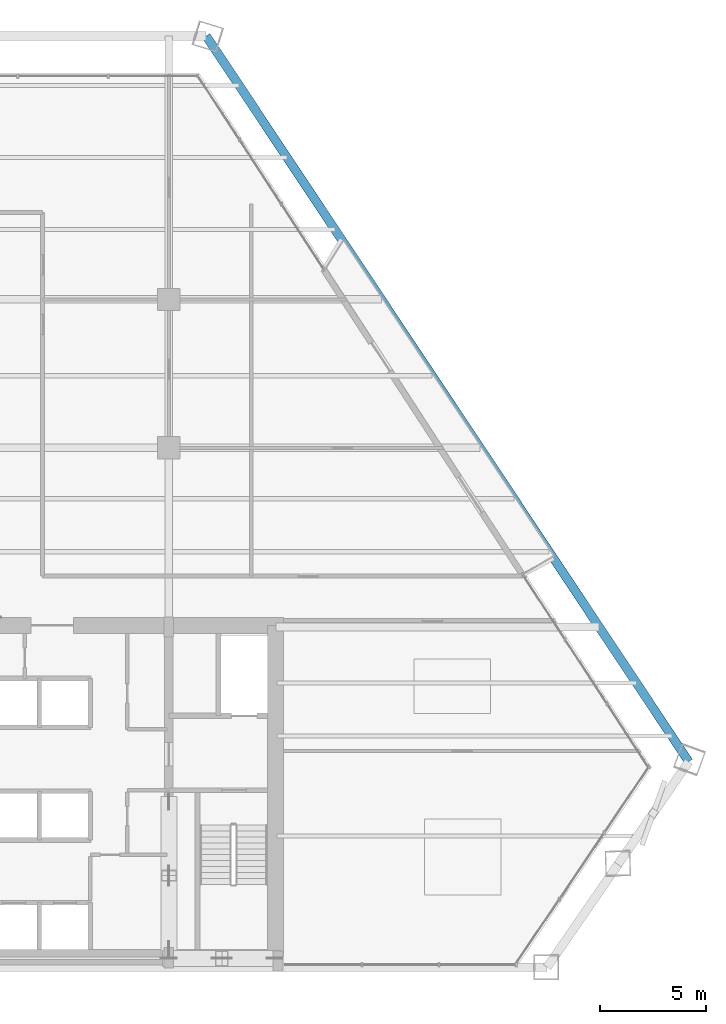
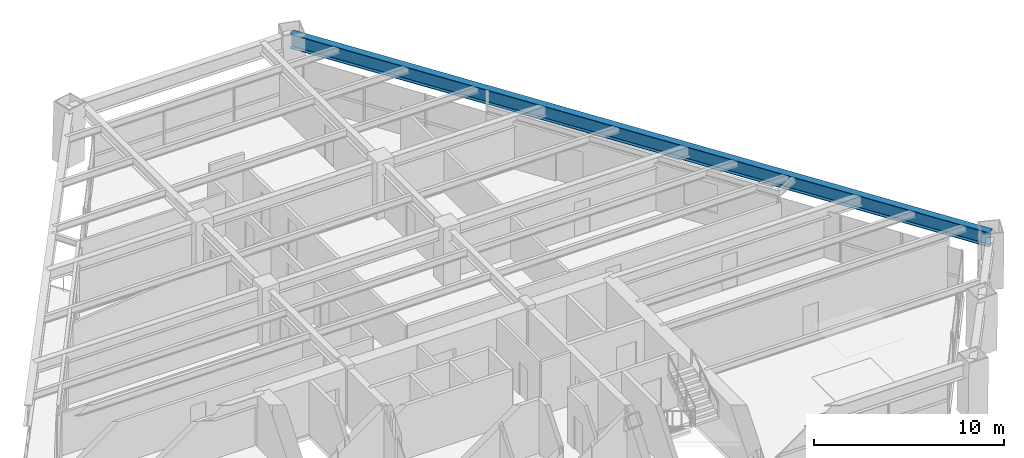
# One storey, part 7 of 14: 1 beam.
"""IFC4 building model written with IfcOpenShell, lengths in metres."""

from ifc_helpers import new_model, si_unit, direction, frame, origin, origin_2d, place, context, subcontext, project, spatial, i_section, extrude, source, transform, mapped, material, material_profile, profile_set, type_object, element, save


model = new_model("IFC4")

# Units and contexts
model_context = context("Model", 3, precision=1e-05, world=origin(), true_north=direction((0.0, 1.0)))
body_context = subcontext(model_context, "Body", "Model", "MODEL_VIEW")
ifc_project = project(units=[si_unit("LENGTHUNIT", "METRE"), si_unit("AREAUNIT", "SQUARE_METRE"), si_unit("VOLUMEUNIT", "CUBIC_METRE"), si_unit("PLANEANGLEUNIT", "RADIAN"), si_unit("MASSUNIT", "GRAM", prefix="KILO")], contexts=[model_context])

# Site, building, storey
site_placement = place(None, origin())
site = spatial("IfcSite", under=ifc_project, at=site_placement, CompositionType="ELEMENT")
building_placement = place(site_placement, origin())
building = spatial("IfcBuilding", under=site, at=building_placement, Name="Varnakhor Terracotta Tower", CompositionType="ELEMENT")
storey_placement = place(building_placement, frame((0.0, 0.0, 84.0)))
storey = spatial("IfcBuildingStorey", under=building, at=storey_placement, Name="L20", CompositionType="ELEMENT", Elevation=84.0)

# Beam
ifc_material = material(Name="Steel S355", Category="steel")
ifc_material_profile = material_profile(ifc_material, i_section(OverallWidth=0.41796875, OverallDepth=0.927001953125, WebThickness=0.01904296875, FlangeThickness=0.031982421875, FilletRadius=0.01806640625, at=origin_2d()), Name="W36X231")
ifc_profile_set = profile_set([ifc_material_profile], Name="Steel S355")
beam_type = type_object("IfcBeamType", Name="BM-W36X231", PredefinedType="BEAM", material=ifc_profile_set)
shared_shape = source(origin(), body_context, "Body", "SweptSolid", [
    extrude(i_section(OverallWidth=0.41796875, OverallDepth=0.927001953125, WebThickness=0.01904296875, FlangeThickness=0.031982421875, FilletRadius=0.01806640625, at=origin_2d()), origin(), (0.0, 0.0, 1.0), 41.110107421875),
])
beam_placement = place(storey_placement, frame((30.024658203125, 9.69873046875, 2.986572265625), z_axis=(-0.553724041303, 0.832700237831, 0.0), x_axis=(-0.832700237831, -0.553724041303, 0.0)))
element("IfcBeam", 1, at=beam_placement, inside=storey, type_object=beam_type, Name="L20 Perimeter Spandrel 4", PredefinedType="BEAM", context=body_context, shape_type="MappedRepresentation", body=[
    mapped(shared_shape, transform((0.0, 0.0, 0.0), scale=1.0)),
])

save(model, "model.ifc")
